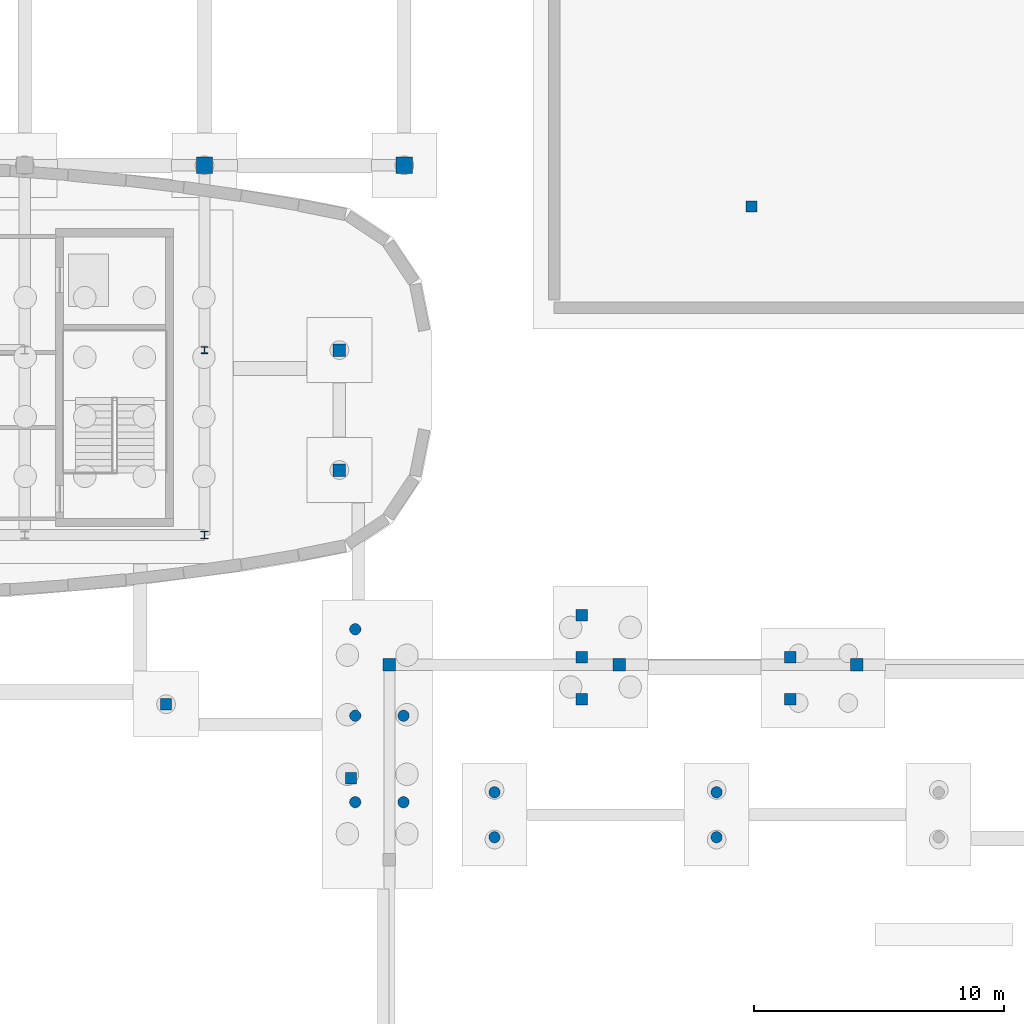
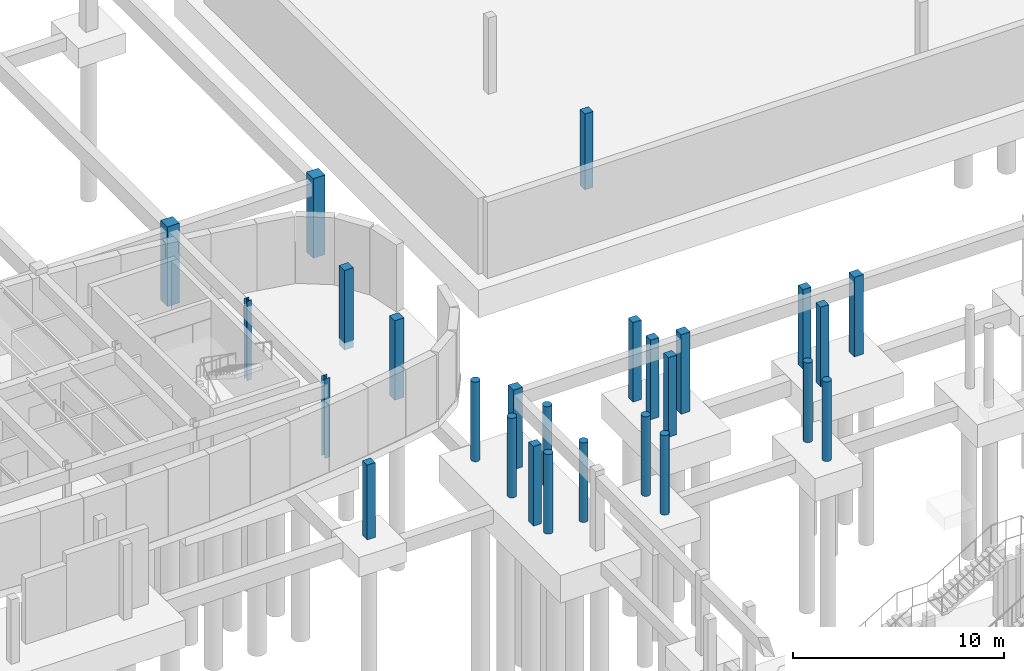
# One storey, part 13 of 45: 26 columns.
"""IFC4 building model written with IfcOpenShell, lengths in metres."""

from ifc_helpers import new_model, si_unit, direction, frame, origin, origin_2d, place, context, subcontext, project, spatial, rectangle, circle, i_section, extrude, material, material_profile, profile_set, type_object, element, save


model = new_model("IFC4")

# Units and contexts
model_context = context("Model", 3, precision=1e-05, world=origin(), true_north=direction((0.0, 1.0)))
body_context = subcontext(model_context, "Body", "Model", "MODEL_VIEW")
ifc_project = project(units=[si_unit("LENGTHUNIT", "METRE"), si_unit("AREAUNIT", "SQUARE_METRE"), si_unit("VOLUMEUNIT", "CUBIC_METRE"), si_unit("PLANEANGLEUNIT", "RADIAN"), si_unit("MASSUNIT", "GRAM", prefix="KILO")], contexts=[model_context])

# Site, building, storey
site_placement = place(None, origin())
site = spatial("IfcSite", under=ifc_project, at=site_placement, CompositionType="ELEMENT")
building_placement = place(site_placement, origin())
building = spatial("IfcBuilding", under=site, at=building_placement, Name="Corveleigh Park Community Centre", CompositionType="ELEMENT")
storey_placement = place(building_placement, frame((0.0, 0.0, -4.199951171875)))
storey = spatial("IfcBuildingStorey", under=building, at=storey_placement, Name="B1", CompositionType="ELEMENT", Elevation=-4.199951171875)

# Columns
ifc_material_1 = material(Name="Concrete C40/50", Category="concrete")
ifc_material_profile_1 = material_profile(ifc_material_1, rectangle(XDim=0.449951171875, YDim=0.449951171875, at=origin_2d()), Name="RC-450x450", Category="concrete")
ifc_profile_set_1 = profile_set([ifc_material_profile_1], Name="Concrete C40/50")
column_type_1 = type_object("IfcColumnType", Name="COL-RC-450x450", PredefinedType="COLUMN", material=ifc_profile_set_1)
column_1_placement = place(storey_placement, frame((44.861083984375, 71.22509765625, -0.4150390625), z_axis=(0.0, 0.0, 1.0), x_axis=(1.0, 0.0, 0.0)))
element("IfcColumn", 1, at=column_1_placement, inside=storey, type_object=column_type_1, Name="External deck support pier 170 B1", PredefinedType="COLUMN", context=body_context, shape_type="SweptSolid", body=[
    extrude(rectangle(XDim=0.449951171875, YDim=0.449951171875, at=origin_2d()), origin(), (0.0, 0.0, 1.0), 4.3330078125),
])
column_2_placement = place(storey_placement, frame((68.2958984375, 91.14404296875, -0.4150390625), z_axis=(0.0, 0.0, 1.0), x_axis=(1.0, 0.0, 0.0)))
element("IfcColumn", 2, at=column_2_placement, inside=storey, type_object=column_type_1, Name="External deck support pier 180 B1", PredefinedType="COLUMN", context=body_context, shape_type="SweptSolid", body=[
    extrude(rectangle(XDim=0.449951171875, YDim=0.449951171875, at=origin_2d()), origin(), (0.0, 0.0, 1.0), 4.4130859375),
])
for number, where, z_axis, x_axis, name in (
    (3, (52.260986328125, 68.260986328125, -0.4150390625), (0.0, 0.0, 1.0), (1.0, 0.0, 0.0), "External deck support pier 217 B1"),
    (4, (61.4990234375, 71.427978515625, -0.4150390625), (0.0, 0.0, 1.0), (1.0, 0.0, 0.0), "External deck support pier 219 B1"),
    (5, (61.4990234375, 73.10595703125, -0.4150390625), (0.0, 0.0, 1.0), (1.0, 0.0, 0.0), "External deck support pier 220 B1"),
    (6, (61.4990234375, 74.784912109375, -0.4150390625), (0.0, 0.0, 1.0), (1.0, 0.0, 0.0), "External deck support pier 221 B1"),
    (7, (69.85009765625, 71.427978515625, -0.4150390625), (0.0, 0.0, 1.0), (1.0, 0.0, 0.0), "External deck support pier 222 B1"),
    (8, (69.85009765625, 73.10595703125, -0.4150390625), (0.0, 0.0, 1.0), (1.0, 0.0, 0.0), "External deck support pier 223 B1"),
):
    element("IfcColumn", number, at=place(storey_placement, frame(where, z_axis=z_axis, x_axis=x_axis)), inside=storey, type_object=column_type_1, Name=name, PredefinedType="COLUMN", context=body_context, shape_type="SweptSolid", body=[
        extrude(rectangle(XDim=0.449951171875, YDim=0.449951171875, at=origin_2d()), origin(), (0.0, 0.0, 1.0), 4.614990234375),
    ])
ifc_material_profile_2 = material_profile(ifc_material_1, rectangle(XDim=0.5, YDim=0.5, at=origin_2d()), Name="RC-500x500", Category="concrete")
ifc_profile_set_2 = profile_set([ifc_material_profile_2], Name="Concrete C40/50")
column_type_2 = type_object("IfcColumnType", Name="COL-RC-500x500", PredefinedType="COLUMN", material=ifc_profile_set_2)
for number, where, z_axis, x_axis, name in (
    (9, (53.800048828125, 72.800048828125, -0.4150390625), (0.0, 0.0, 1.0), (1.0, 0.0, 0.0), "Column V5-W5 B1"),
    (10, (63.0, 72.800048828125, -0.4150390625), (0.0, 0.0, 1.0), (1.0, 0.0, 0.0), "Column V5-N1 B1"),
    (11, (72.5, 72.800048828125, -0.4150390625), (0.0, 0.0, 1.0), (1.0, 0.0, 0.0), "Column V5-N2 B1"),
    (12, (51.800048828125, 80.60009765625, -0.4150390625), (0.0, 0.0, 1.0), (1.0, 0.0, 0.0), "Column V2-E4-1 B1"),
    (13, (51.800048828125, 85.39990234375, -0.4150390625), (0.0, 0.0, 1.0), (1.0, 0.0, 0.0), "Column V2-E4-2 B1"),
):
    element("IfcColumn", number, at=place(storey_placement, frame(where, z_axis=z_axis, x_axis=x_axis)), inside=storey, type_object=column_type_2, Name=name, PredefinedType="COLUMN", context=body_context, shape_type="SweptSolid", body=[
        extrude(rectangle(XDim=0.5, YDim=0.5, at=origin_2d()), origin(), (0.0, 0.0, 1.0), 4.614990234375),
    ])
ifc_material_profile_3 = material_profile(ifc_material_1, rectangle(XDim=0.64990234375, YDim=0.64990234375, at=origin_2d()), Name="RC-650x650", Category="concrete")
ifc_profile_set_3 = profile_set([ifc_material_profile_3], Name="Concrete C40/50")
column_type_3 = type_object("IfcColumnType", Name="COL-RC-650x650", PredefinedType="COLUMN", material=ifc_profile_set_3)
for number, where, z_axis, x_axis, name in (
    (14, (46.39990234375, 92.800048828125, -0.4150390625), (0.0, 0.0, 1.0), (1.0, 0.0, 0.0), "Column V2-HS6 B1"),
    (15, (54.39990234375, 92.800048828125, -0.4150390625), (0.0, 0.0, 1.0), (1.0, 0.0, 0.0), "Column V2-HS7 B1"),
):
    element("IfcColumn", number, at=place(storey_placement, frame(where, z_axis=z_axis, x_axis=x_axis)), inside=storey, type_object=column_type_3, Name=name, PredefinedType="COLUMN", context=body_context, shape_type="SweptSolid", body=[
        extrude(rectangle(XDim=0.64990234375, YDim=0.64990234375, at=origin_2d()), origin(), (0.0, 0.0, 1.0), 4.614990234375),
    ])
ifc_material_profile_4 = material_profile(ifc_material_1, circle(Radius=0.22509765625, at=origin_2d()), Name="RC-450D", Category="concrete")
ifc_profile_set_4 = profile_set([ifc_material_profile_4], Name="Concrete C40/50")
column_type_4 = type_object("IfcColumnType", Name="COL-RCE-450D", PredefinedType="COLUMN", material=ifc_profile_set_4)
for number, where, z_axis, x_axis, name in (
    (16, (66.89990234375, 65.89990234375, -0.4150390625), (0.0, 0.0, 1.0), (1.0, 0.0, 0.0), "External deck support pier 104 B1"),
    (17, (66.89990234375, 67.699951171875, -0.4150390625), (0.0, 0.0, 1.0), (1.0, 0.0, 0.0), "External deck support pier 105 B1"),
    (18, (58.008056640625, 65.89990234375, -0.4150390625), (0.0, 0.0, 1.0), (1.0, 0.0, 0.0), "External deck support pier 106 B1"),
    (19, (58.008056640625, 67.699951171875, -0.4150390625), (0.0, 0.0, 1.0), (1.0, 0.0, 0.0), "External deck support pier 107 B1"),
    (20, (52.43408203125, 67.302978515625, -0.4150390625), (0.0, 0.0, 1.0), (1.0, 0.0, 0.0), "External deck support pier 247 B1"),
    (21, (52.43408203125, 70.763916015625, -0.4150390625), (0.0, 0.0, 1.0), (1.0, 0.0, 0.0), "External deck support pier 248 B1"),
    (22, (52.43408203125, 74.22509765625, -0.4150390625), (0.0, 0.0, 1.0), (1.0, 0.0, 0.0), "External deck support pier 249 B1"),
    (23, (54.365966796875, 67.302978515625, -0.4150390625), (0.0, 0.0, 1.0), (1.0, 0.0, 0.0), "External deck support pier 250 B1"),
    (24, (54.365966796875, 70.763916015625, -0.4150390625), (0.0, 0.0, 1.0), (1.0, 0.0, 0.0), "External deck support pier 251 B1"),
):
    element("IfcColumn", number, at=place(storey_placement, frame(where, z_axis=z_axis, x_axis=x_axis)), inside=storey, type_object=column_type_4, Name=name, PredefinedType="COLUMN", context=body_context, shape_type="SweptSolid", body=[
        extrude(circle(Radius=0.22509765625, at=origin_2d()), origin(), (0.0, 0.0, 1.0), 4.614990234375),
    ])
ifc_material_2 = material(Name="Steel S355", Category="steel")
ifc_material_profile_5 = material_profile(ifc_material_2, i_section(OverallWidth=0.26123046875, OverallDepth=0.2763671875, WebThickness=0.015380859375, FlangeThickness=0.025390625, at=origin_2d()), Name="UKC 254x254x132", Category="steel")
ifc_profile_set_5 = profile_set([ifc_material_profile_5], Name="Steel S355")
column_type_5 = type_object("IfcColumnType", Name="COL-STL-UKC254x132", PredefinedType="COLUMN", material=ifc_profile_set_5)
column_3_placement = place(storey_placement, frame((46.39990234375, 85.39990234375, -0.4150390625), z_axis=(0.0, 0.0, 1.0), x_axis=(1.0, 0.0, 0.0)))
element("IfcColumn", 25, at=column_3_placement, inside=storey, type_object=column_type_5, Name="Column V2-ST-X5Y1 B1", PredefinedType="COLUMN", context=body_context, shape_type="SweptSolid", body=[
    extrude(i_section(OverallWidth=0.26123046875, OverallDepth=0.2763671875, WebThickness=0.015380859375, FlangeThickness=0.025390625, at=origin_2d()), origin(), (0.0, 0.0, 1.0), 4.614990234375),
])
ifc_material_profile_6 = material_profile(ifc_material_2, i_section(OverallWidth=0.305419921875, OverallDepth=0.307861328125, WebThickness=0.010009765625, FlangeThickness=0.015380859375, at=origin_2d()), Name="UKC 305x305x97", Category="steel")
ifc_profile_set_6 = profile_set([ifc_material_profile_6], Name="Steel S355")
column_type_6 = type_object("IfcColumnType", Name="COL-STL-UKC305x97", PredefinedType="COLUMN", material=ifc_profile_set_6)
column_4_placement = place(storey_placement, frame((46.39990234375, 78.0, -0.4150390625), z_axis=(0.0, 0.0, 1.0), x_axis=(1.0, 0.0, 0.0)))
element("IfcColumn", 26, at=column_4_placement, inside=storey, type_object=column_type_6, Name="Column V2-ST-X5Y0 B1", PredefinedType="COLUMN", context=body_context, shape_type="SweptSolid", body=[
    extrude(i_section(OverallWidth=0.305419921875, OverallDepth=0.307861328125, WebThickness=0.010009765625, FlangeThickness=0.015380859375, at=origin_2d()), origin(), (0.0, 0.0, 1.0), 4.614990234375),
])

save(model, "model.ifc")
